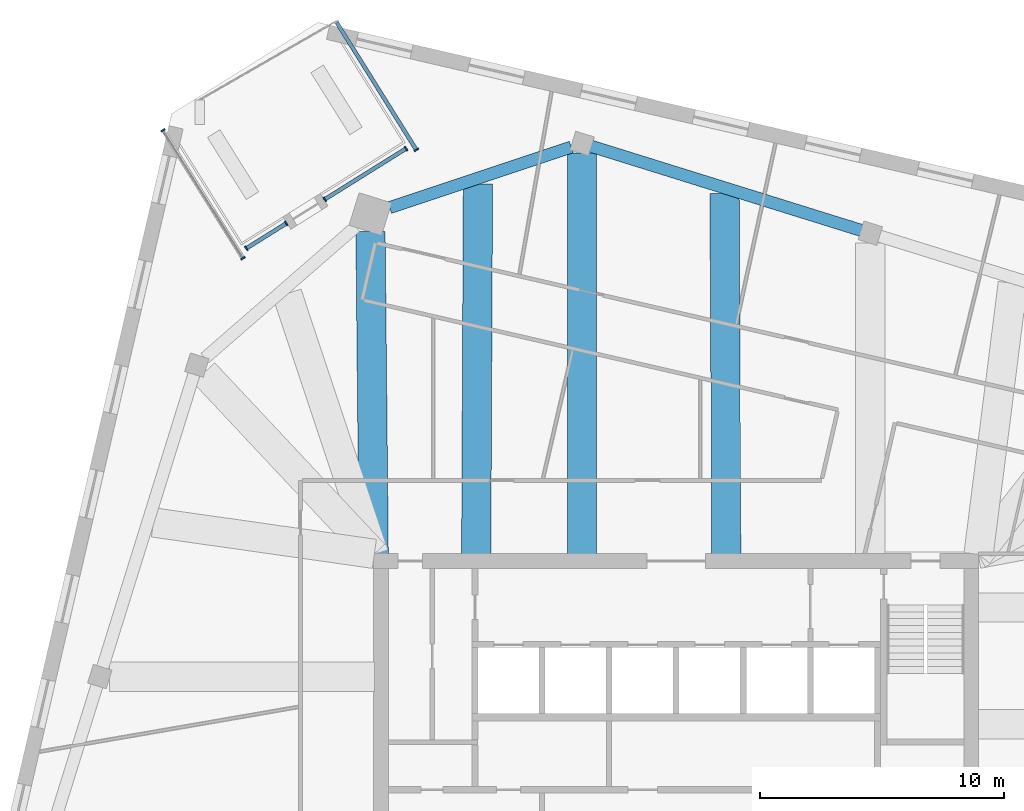
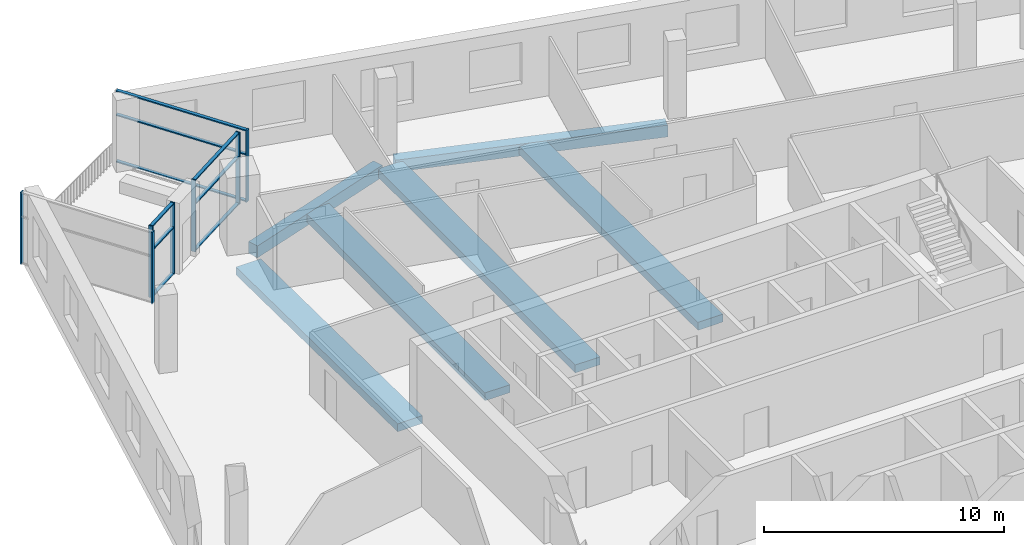
# One storey, part 2 of 14: 16 members, 6 beams, 4 elements without a shape of their own.
"""IFC4 building model written with IfcOpenShell, lengths in metres."""

from ifc_helpers import new_model, si_unit, direction, frame, origin, origin_2d, place, context, subcontext, project, spatial, rectangle, extrude, material, material_profile, profile_set, type_object, element, aggregate, save


model = new_model("IFC4")

# Units and contexts
model_context = context("Model", 3, precision=1e-05, world=origin(), true_north=direction((0.0, 1.0)))
body_context = subcontext(model_context, "Body", "Model", "MODEL_VIEW")
ifc_project = project(units=[si_unit("LENGTHUNIT", "METRE"), si_unit("AREAUNIT", "SQUARE_METRE"), si_unit("VOLUMEUNIT", "CUBIC_METRE"), si_unit("PLANEANGLEUNIT", "RADIAN"), si_unit("MASSUNIT", "GRAM", prefix="KILO")], contexts=[model_context])

# Site, building, storey
site_placement = place(None, origin())
site = spatial("IfcSite", under=ifc_project, at=site_placement, CompositionType="ELEMENT")
building_placement = place(site_placement, origin())
building = spatial("IfcBuilding", under=site, at=building_placement, Name="Dilmun Exchange Tower", CompositionType="ELEMENT")
storey_placement = place(building_placement, frame((0.0, 0.0, 340.5)))
storey = spatial("IfcBuildingStorey", under=building, at=storey_placement, Name="L81", CompositionType="ELEMENT", Elevation=340.5)

# Curtain wall, member
ifc_material_1 = material(Name="Anodised aluminium and clear glass", Category="aluminium")
curtain_wall_type = type_object("IfcCurtainWallType", Name="Garden corner glazing", PredefinedType="NOTDEFINED", material=ifc_material_1)
curtain_wall_1_placement = place(storey_placement, origin())
curtain_wall_1 = element("IfcCurtainWall", 1, at=curtain_wall_1_placement, inside=storey, type_object=curtain_wall_type, Name="Garden corner glazing run GC1.1", PredefinedType="NOTDEFINED")
ifc_material_2 = material(Name="Anodised aluminium", Category="aluminium")
ifc_material_profile_1 = material_profile(ifc_material_2, rectangle(XDim=0.199951171875, YDim=0.06005859375, at=origin_2d()), Name="AL 60x200")
ifc_profile_set_1 = profile_set([ifc_material_profile_1], Name="Anodised aluminium")
member_type_1 = type_object("IfcMemberType", Name="Garden corner glazing mullion 60 x 200", PredefinedType="MULLION", material=ifc_profile_set_1)
member_1_placement = place(storey_placement, frame((-10.65185546875, 28.95458984375, 0.0), z_axis=(0.0, 0.0, 1.0), x_axis=(0.8480495651, 0.529916913426, 0.0)))
member_1 = element("IfcMember", 2, at=member_1_placement, type_object=member_type_1, Name="GC1.1 mullion 2", PredefinedType="MULLION", context=body_context, shape_type="SweptSolid", body=[
    extrude(rectangle(XDim=0.199951171875, YDim=0.06005859375, at=origin_2d()), origin(), (0.0, 0.0, 1.0), 3.64990234375),
])

# Curtain wall, members
curtain_wall_2_placement = place(storey_placement, origin())
curtain_wall_2 = element("IfcCurtainWall", 3, at=curtain_wall_2_placement, inside=storey, type_object=curtain_wall_type, Name="Garden corner glazing run GC2.1", PredefinedType="NOTDEFINED")
member_2_placement = place(storey_placement, frame((-11.07470703125, 29.0087890625, 0.0), z_axis=(0.0, 0.0, 1.0), x_axis=(0.529924577258, -0.848044776187, 0.0)))
member_2 = element("IfcMember", 4, at=member_2_placement, type_object=member_type_1, Name="GC2.1 mullion 1", PredefinedType="MULLION", context=body_context, shape_type="SweptSolid", body=[
    extrude(rectangle(XDim=0.199951171875, YDim=0.06005859375, at=origin_2d()), origin(), (0.0, 0.0, 1.0), 3.64990234375),
])
member_3_placement = place(storey_placement, frame((-14.40673828125, 26.9267578125, 0.0), z_axis=(0.0, 0.0, 1.0), x_axis=(0.529924577258, -0.848044776187, 0.0)))
member_3 = element("IfcMember", 5, at=member_3_placement, type_object=member_type_1, Name="GC2.1 mullion 2", PredefinedType="MULLION", context=body_context, shape_type="SweptSolid", body=[
    extrude(rectangle(XDim=0.199951171875, YDim=0.06005859375, at=origin_2d()), origin(), (0.0, 0.0, 1.0), 3.64990234375),
])

curtain_wall_3_placement = place(storey_placement, origin())
curtain_wall_3 = element("IfcCurtainWall", 6, at=curtain_wall_3_placement, inside=storey, type_object=curtain_wall_type, Name="Garden corner glazing run GC2.3", PredefinedType="NOTDEFINED")
member_4_placement = place(storey_placement, frame((-15.984130859375, 25.94091796875, 0.0), z_axis=(0.0, 0.0, 1.0), x_axis=(0.529885960447, -0.848068905763, 0.0)))
member_4 = element("IfcMember", 7, at=member_4_placement, type_object=member_type_1, Name="GC2.3 mullion 1", PredefinedType="MULLION", context=body_context, shape_type="SweptSolid", body=[
    extrude(rectangle(XDim=0.199951171875, YDim=0.06005859375, at=origin_2d()), origin(), (0.0, 0.0, 1.0), 3.64990234375),
])
member_5_placement = place(storey_placement, frame((-17.6201171875, 24.918701171875, 0.0), z_axis=(0.0, 0.0, 1.0), x_axis=(0.529885960447, -0.848068905763, 0.0)))
member_5 = element("IfcMember", 8, at=member_5_placement, type_object=member_type_1, Name="GC2.3 mullion 2", PredefinedType="MULLION", context=body_context, shape_type="SweptSolid", body=[
    extrude(rectangle(XDim=0.199951171875, YDim=0.06005859375, at=origin_2d()), origin(), (0.0, 0.0, 1.0), 3.64990234375),
])

curtain_wall_4_placement = place(storey_placement, origin())
curtain_wall_4 = element("IfcCurtainWall", 9, at=curtain_wall_4_placement, inside=storey, type_object=curtain_wall_type, Name="Garden corner glazing run GC3.1", PredefinedType="NOTDEFINED")
member_6_placement = place(storey_placement, frame((-17.7568359375, 24.514892578125, 0.0), z_axis=(0.0, 0.0, 1.0), x_axis=(-0.8480495651, -0.529916913426, 0.0)))
member_6 = element("IfcMember", 10, at=member_6_placement, type_object=member_type_1, Name="GC3.1 mullion 1", PredefinedType="MULLION", context=body_context, shape_type="SweptSolid", body=[
    extrude(rectangle(XDim=0.199951171875, YDim=0.06005859375, at=origin_2d()), origin(), (0.0, 0.0, 1.0), 3.64990234375),
])
member_7_placement = place(storey_placement, frame((-21.03515625, 29.761474609375, 0.0), z_axis=(0.0, 0.0, 1.0), x_axis=(-0.8480495651, -0.529916913426, 0.0)))
member_7 = element("IfcMember", 11, at=member_7_placement, type_object=member_type_1, Name="GC3.1 mullion 2", PredefinedType="MULLION", context=body_context, shape_type="SweptSolid", body=[
    extrude(rectangle(XDim=0.199951171875, YDim=0.06005859375, at=origin_2d()), origin(), (0.0, 0.0, 1.0), 3.64990234375),
])
aggregate(curtain_wall_4, [member_6, member_7])

# Member
ifc_material_profile_2 = material_profile(ifc_material_2, rectangle(XDim=0.159912109375, YDim=0.06005859375, at=origin_2d()), Name="AL 60x160")
ifc_profile_set_2 = profile_set([ifc_material_profile_2], Name="Anodised aluminium")
member_type_2 = type_object("IfcMemberType", Name="Garden corner glazing transom 60 x 160", PredefinedType="USERDEFINED", material=ifc_profile_set_2)
member_8_placement = place(storey_placement, frame((-13.914306640625, 34.175537109375, 0.030029296875), z_axis=(0.529923715671, -0.848045314573, 0.0), x_axis=(0.848045314573, 0.529923715671, 0.0)))
member_8 = element("IfcMember", 12, at=member_8_placement, type_object=member_type_2, Name="GC1.1 transom 1.1", ObjectType="TRANSOM", PredefinedType="USERDEFINED", context=body_context, shape_type="SweptSolid", body=[
    extrude(rectangle(XDim=0.159912109375, YDim=0.06005859375, at=origin_2d()), origin(), (0.0, 0.0, 1.0), 6.12646484375),
])

member_9_placement = place(storey_placement, frame((-13.914306640625, 34.175537109375, 2.39990234375), z_axis=(0.529923715671, -0.848045314573, 0.0), x_axis=(0.848045314573, 0.529923715671, 0.0)))
member_9 = element("IfcMember", 13, at=member_9_placement, type_object=member_type_2, Name="GC1.1 transom 1.2", ObjectType="TRANSOM", PredefinedType="USERDEFINED", context=body_context, shape_type="SweptSolid", body=[
    extrude(rectangle(XDim=0.159912109375, YDim=0.06005859375, at=origin_2d()), origin(), (0.0, 0.0, 1.0), 6.12646484375),
])

member_10_placement = place(storey_placement, frame((-13.914306640625, 34.175537109375, 3.6201171875), z_axis=(0.529923715671, -0.848045314573, 0.0), x_axis=(0.848045314573, 0.529923715671, 0.0)))
member_10 = element("IfcMember", 14, at=member_10_placement, type_object=member_type_2, Name="GC1.1 transom 1.3", ObjectType="TRANSOM", PredefinedType="USERDEFINED", context=body_context, shape_type="SweptSolid", body=[
    extrude(rectangle(XDim=0.159912109375, YDim=0.06005859375, at=origin_2d()), origin(), (0.0, 0.0, 1.0), 6.12646484375),
])

aggregate(curtain_wall_1, [member_1, member_8, member_9, member_10])

member_11_placement = place(storey_placement, frame((-11.10009765625, 28.992919921875, 0.030029296875), z_axis=(-0.84805501765, -0.529908187368, 0.0), x_axis=(0.529908187368, -0.84805501765, 0.0)))
member_11 = element("IfcMember", 15, at=member_11_placement, type_object=member_type_2, Name="GC2.1 transom 1.1", ObjectType="TRANSOM", PredefinedType="USERDEFINED", context=body_context, shape_type="SweptSolid", body=[
    extrude(rectangle(XDim=0.159912109375, YDim=0.06005859375, at=origin_2d()), origin(), (0.0, 0.0, 1.0), 3.869140625),
])

member_12_placement = place(storey_placement, frame((-11.10009765625, 28.992919921875, 2.39990234375), z_axis=(-0.84805501765, -0.529908187368, 0.0), x_axis=(0.529908187368, -0.84805501765, 0.0)))
member_12 = element("IfcMember", 16, at=member_12_placement, type_object=member_type_2, Name="GC2.1 transom 1.2", ObjectType="TRANSOM", PredefinedType="USERDEFINED", context=body_context, shape_type="SweptSolid", body=[
    extrude(rectangle(XDim=0.159912109375, YDim=0.06005859375, at=origin_2d()), origin(), (0.0, 0.0, 1.0), 3.869140625),
])

member_13_placement = place(storey_placement, frame((-11.10009765625, 28.992919921875, 3.6201171875), z_axis=(-0.84805501765, -0.529908187368, 0.0), x_axis=(0.529908187368, -0.84805501765, 0.0)))
member_13 = element("IfcMember", 17, at=member_13_placement, type_object=member_type_2, Name="GC2.1 transom 1.3", ObjectType="TRANSOM", PredefinedType="USERDEFINED", context=body_context, shape_type="SweptSolid", body=[
    extrude(rectangle(XDim=0.159912109375, YDim=0.06005859375, at=origin_2d()), origin(), (0.0, 0.0, 1.0), 3.869140625),
])

aggregate(curtain_wall_2, [member_2, member_3, member_11, member_12, member_13])

member_14_placement = place(storey_placement, frame((-16.009521484375, 25.925048828125, 0.030029296875), z_axis=(-0.848123031037, -0.529799324486, 0.0), x_axis=(0.529799324486, -0.848123031037, 0.0)))
member_14 = element("IfcMember", 18, at=member_14_placement, type_object=member_type_2, Name="GC2.3 transom 1.1", ObjectType="TRANSOM", PredefinedType="USERDEFINED", context=body_context, shape_type="SweptSolid", body=[
    extrude(rectangle(XDim=0.159912109375, YDim=0.06005859375, at=origin_2d()), origin(), (0.0, 0.0, 1.0), 1.869140625),
])

member_15_placement = place(storey_placement, frame((-16.009521484375, 25.925048828125, 2.39990234375), z_axis=(-0.848123031037, -0.529799324486, 0.0), x_axis=(0.529799324486, -0.848123031037, 0.0)))
member_15 = element("IfcMember", 19, at=member_15_placement, type_object=member_type_2, Name="GC2.3 transom 1.2", ObjectType="TRANSOM", PredefinedType="USERDEFINED", context=body_context, shape_type="SweptSolid", body=[
    extrude(rectangle(XDim=0.159912109375, YDim=0.06005859375, at=origin_2d()), origin(), (0.0, 0.0, 1.0), 1.869140625),
])

member_16_placement = place(storey_placement, frame((-16.009521484375, 25.925048828125, 3.6201171875), z_axis=(-0.848123031037, -0.529799324486, 0.0), x_axis=(0.529799324486, -0.848123031037, 0.0)))
member_16 = element("IfcMember", 20, at=member_16_placement, type_object=member_type_2, Name="GC2.3 transom 1.3", ObjectType="TRANSOM", PredefinedType="USERDEFINED", context=body_context, shape_type="SweptSolid", body=[
    extrude(rectangle(XDim=0.159912109375, YDim=0.06005859375, at=origin_2d()), origin(), (0.0, 0.0, 1.0), 1.869140625),
])

aggregate(curtain_wall_3, [member_4, member_5, member_14, member_15, member_16])

# Beams
ifc_material_3 = material(Name="Concrete C40/50", Category="concrete")
ifc_material_profile_3 = material_profile(ifc_material_3, rectangle(XDim=1.199951171875, YDim=0.39990234375, at=origin_2d()), Name="1200 x 400")
ifc_profile_set_3 = profile_set([ifc_material_profile_3], Name="Concrete C40/50")
beam_type_1 = type_object("IfcBeamType", Name="RC band beam 1200 x 400 C40/50", PredefinedType="BEAM", material=ifc_profile_set_3)
beam_1_placement = place(storey_placement, frame((-12.530029296875, 25.613525390625, -0.64990234375), z_axis=(0.009845926203, -0.999951527694, 0.0), x_axis=(0.999951527694, 0.009845926203, 0.0)))
element("IfcBeam", 21, at=beam_1_placement, inside=storey, type_object=beam_type_1, Name="Band beam 1", PredefinedType="BEAM", context=body_context, shape_type="SweptSolid", body=[
    extrude(rectangle(XDim=1.199951171875, YDim=0.39990234375, at=origin_2d()), origin(), (0.0, 0.0, 1.0), 13.2412109375),
])
beam_2_placement = place(storey_placement, frame((-3.85595703125, 28.827880859375, -0.64990234375), z_axis=(0.0, -1.0, 0.0), x_axis=(1.0, 0.0, 0.0)))
element("IfcBeam", 22, at=beam_2_placement, inside=storey, type_object=beam_type_1, Name="Band beam 16", PredefinedType="BEAM", context=body_context, shape_type="SweptSolid", body=[
    extrude(rectangle(XDim=1.199951171875, YDim=0.39990234375, at=origin_2d()), origin(), (0.0, 0.0, 1.0), 16.454833984375),
])
beam_3_placement = place(storey_placement, frame((1.984619140625, 27.16650390625, -0.550048828125), z_axis=(0.004488848064, -0.999989925071, 0.0), x_axis=(0.999989925071, 0.004488848064, 0.0)))
element("IfcBeam", 23, at=beam_3_placement, inside=storey, type_object=beam_type_1, Name="Band beam 31", PredefinedType="BEAM", context=body_context, shape_type="SweptSolid", body=[
    extrude(rectangle(XDim=1.199951171875, YDim=0.39990234375, at=origin_2d()), origin(), (0.0, 0.0, 1.0), 14.793701171875),
])
beam_4_placement = place(storey_placement, frame((-8.1259765625, 27.5595703125, -0.550048828125), z_axis=(-0.00464595333, -0.999989207501, 0.0), x_axis=(0.999989207501, -0.00464595333, 0.0)))
element("IfcBeam", 24, at=beam_4_placement, inside=storey, type_object=beam_type_1, Name="Band beam 32", PredefinedType="BEAM", context=body_context, shape_type="SweptSolid", body=[
    extrude(rectangle(XDim=1.199951171875, YDim=0.39990234375, at=origin_2d()), origin(), (0.0, 0.0, 1.0), 15.186767578125),
])
ifc_material_profile_4 = material_profile(ifc_material_3, rectangle(XDim=0.5, YDim=0.60009765625, at=origin_2d()), Name="500 x 600")
ifc_profile_set_4 = profile_set([ifc_material_profile_4], Name="Concrete C40/50")
beam_type_2 = type_object("IfcBeamType", Name="RC ring beam 500 x 600 C40/50", PredefinedType="SPANDREL", material=ifc_profile_set_4)
beam_5_placement = place(storey_placement, frame((7.601806640625, 25.64990234375, -0.64990234375), z_axis=(-0.954732553331, 0.297465546931, 0.0), x_axis=(-0.297465546931, -0.954732553331, 0.0)))
element("IfcBeam", 25, at=beam_5_placement, inside=storey, type_object=beam_type_2, Name="Ring beam 15", PredefinedType="SPANDREL", context=body_context, shape_type="SweptSolid", body=[
    extrude(rectangle(XDim=0.5, YDim=0.60009765625, at=origin_2d()), origin(), (0.0, 0.0, 1.0), 11.628173828125),
])
beam_6_placement = place(storey_placement, frame((-4.298095703125, 29.072509765625, -0.64990234375), z_axis=(-0.94854014246, -0.316656909198, 0.0), x_axis=(0.316656909198, -0.94854014246, 0.0)))
element("IfcBeam", 26, at=beam_6_placement, inside=storey, type_object=beam_type_2, Name="Ring beam 16", PredefinedType="SPANDREL", context=body_context, shape_type="SweptSolid", body=[
    extrude(rectangle(XDim=0.5, YDim=0.60009765625, at=origin_2d()), origin(), (0.0, 0.0, 1.0), 7.850341796875),
])

save(model, "model.ifc")
